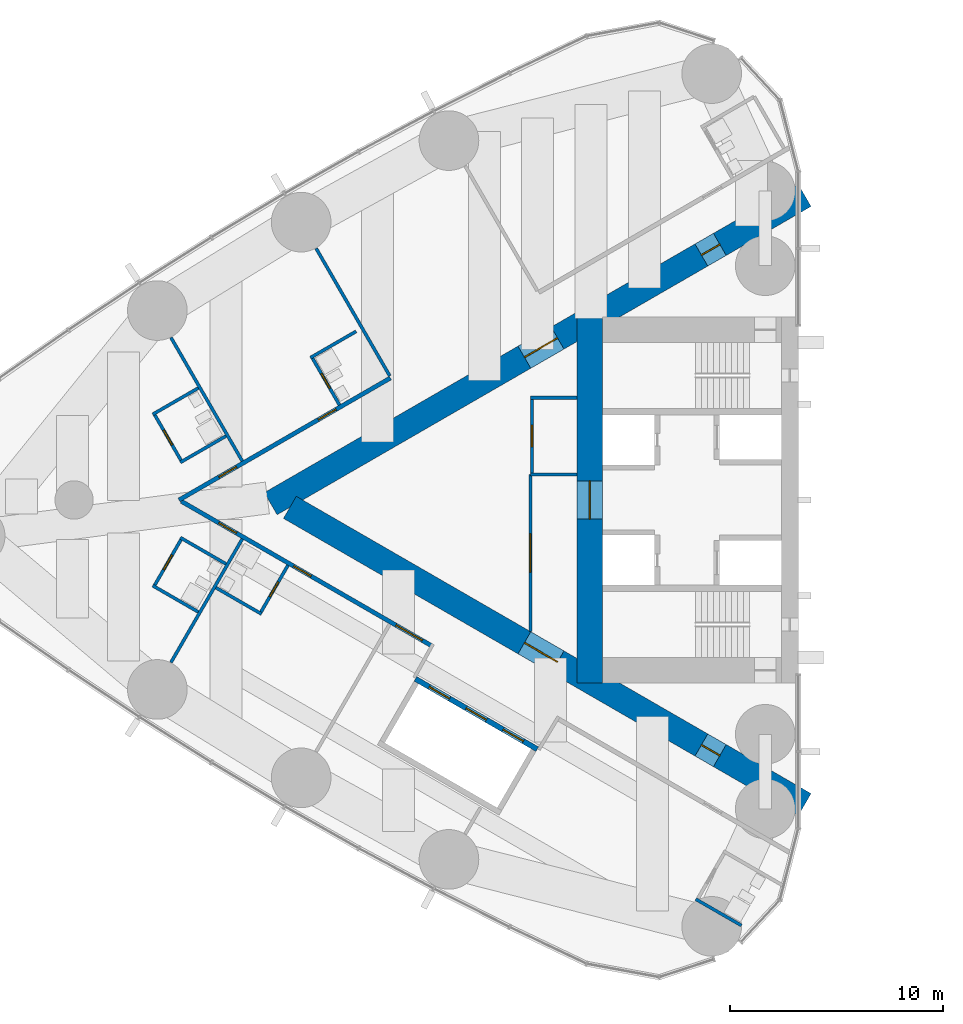
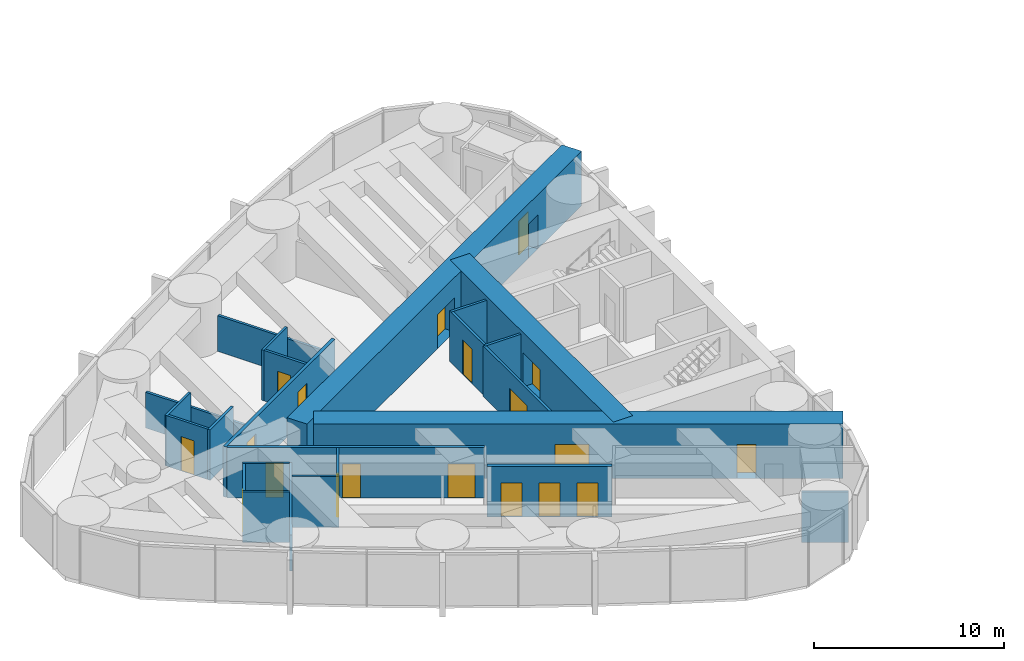
# One storey, part 12 of 19: 24 walls, 19 doors, 19 openings.
"""IFC4 building model written with IfcOpenShell, lengths in metres."""

from ifc_helpers import new_model, si_unit, direction, frame, frame_2d, origin, place, context, subcontext, project, spatial, rectangle, extrude, material, layer, layer_set, type_object, element, fill, save


model = new_model("IFC4")

# Units and contexts
model_context = context("Model", 3, precision=1e-05, world=origin(), true_north=direction((0.0, 1.0)))
body_context = subcontext(model_context, "Body", "Model", "MODEL_VIEW")
ifc_project = project(units=[si_unit("LENGTHUNIT", "METRE"), si_unit("AREAUNIT", "SQUARE_METRE"), si_unit("VOLUMEUNIT", "CUBIC_METRE"), si_unit("PLANEANGLEUNIT", "RADIAN"), si_unit("MASSUNIT", "GRAM", prefix="KILO")], contexts=[model_context])

# Site, building, storey
site_placement = place(None, origin())
site = spatial("IfcSite", under=ifc_project, at=site_placement, CompositionType="ELEMENT")
building_placement = place(site_placement, origin())
building = spatial("IfcBuilding", under=site, at=building_placement, Name="Lancet Gate Hotel", CompositionType="ELEMENT")
storey_placement = place(building_placement, frame((0.0, 0.0, 184.300048828125)))
storey = spatial("IfcBuildingStorey", under=building, at=storey_placement, Name="L49", CompositionType="ELEMENT", Elevation=184.300048828125)

# Wall
ifc_material_1 = material(Name="Moisture resistant board partition")
ifc_layer_1 = layer(ifc_material_1, 0.14990234375)
ifc_layer_set_1 = layer_set([ifc_layer_1], Name="Bathroom wall 150")
wall_type_1 = type_object("IfcWallType", Name="Bathroom wall 150", PredefinedType="PARTITIONING", material=ifc_layer_set_1)
wall_1_placement = place(storey_placement, frame((-48.26025390625, 7.914306640625, 0.0), z_axis=(0.0, 0.0, 1.0), x_axis=(-0.866031185235, -0.4999899861, 0.0)))
element("IfcWall", 1, at=wall_1_placement, inside=storey, type_object=wall_type_1, Name="T1 bathroom wall 150 L49", PredefinedType="PARTITIONING", context=body_context, shape_type="SweptSolid", body=[
    extrude(rectangle(XDim=2.47509765625, YDim=0.14990234375, at=frame_2d((1.237548828125, 0.0))), origin(), (0.0, 0.0, 1.0), 3.25),
])

# Wall, opening, door
wall_2_placement = place(storey_placement, frame((-49.038818359375, 4.462646484375, 0.0), z_axis=(0.0, 0.0, 1.0), x_axis=(-0.499936506574, 0.866062058628, 0.0)))
wall_2 = element("IfcWall", 2, at=wall_2_placement, inside=storey, type_object=wall_type_1, Name="T1 bathroom wall 150 L49", PredefinedType="PARTITIONING", context=body_context, shape_type="SweptSolid", body=[
    extrude(rectangle(XDim=2.599853515625, YDim=0.14990234375, at=frame_2d((1.2998046875, 0.0))), origin(), (0.0, 0.0, 1.0), 3.25),
])
opening_1_placement = place(wall_2_placement, frame((0.89990234375, 0.0, 0.0)))
opening_1 = element("IfcOpeningElement", 3, at=opening_1_placement, cuts=wall_2, Name="Opening 4903-B", PredefinedType="OPENING", context=body_context, shape_type="SweptSolid", body=[
    extrude(rectangle(XDim=0.800048828125, YDim=2.199951171875, at=frame_2d((0.39990234375, 1.10009765625))), frame((0.0, 0.0849609375, 0.0), z_axis=(0.0, -1.0, 0.0), x_axis=(1.0, 0.0, 0.0)), (0.0, 0.0, 1.0), 0.169921875),
])
ifc_material_2 = material(Name="Timber door set", Category="wood")
door_type_1 = type_object("IfcDoorType", Name="Bathroom door 800", OperationType="SINGLE_SWING_RIGHT", PredefinedType="DOOR", material=ifc_material_2)
door_1_placement = place(opening_1_placement, origin())
door_1 = element("IfcDoor", 4, at=door_1_placement, inside=storey, type_object=door_type_1, Name="4903-B", OperationType="SINGLE_SWING_RIGHT", OverallHeight=2.199951171875, OverallWidth=0.800048828125, PredefinedType="DOOR", context=body_context, shape_type="SweptSolid", body=[
    extrude(rectangle(XDim=0.800048828125, YDim=2.199951171875, at=frame_2d((0.39990234375, 1.10009765625))), frame((0.0, 0.02490234375, 0.0), z_axis=(0.0, -1.0, 0.0), x_axis=(1.0, 0.0, 0.0)), (0.0, 0.0, 1.0), 0.050048828125),
])
fill(opening_1, door_1)

# Wall
wall_3_placement = place(storey_placement, frame((-55.6669921875, 5.254638671875, 0.0), z_axis=(0.0, 0.0, 1.0), x_axis=(-0.866006523861, -0.500032699561, 0.0)))
element("IfcWall", 5, at=wall_3_placement, inside=storey, type_object=wall_type_1, Name="T1 bathroom wall 150 L49", PredefinedType="PARTITIONING", context=body_context, shape_type="SweptSolid", body=[
    extrude(rectangle(XDim=2.474853515625, YDim=0.14990234375, at=frame_2d((1.2373046875, 0.0))), origin(), (0.0, 0.0, 1.0), 3.25),
])

# Wall, opening, door
wall_4_placement = place(storey_placement, frame((-56.445556640625, 1.802978515625, 0.0), z_axis=(0.0, 0.0, 1.0), x_axis=(-0.499936506574, 0.866062058628, 0.0)))
wall_4 = element("IfcWall", 6, at=wall_4_placement, inside=storey, type_object=wall_type_1, Name="T1 bathroom wall 150 L49", PredefinedType="PARTITIONING", context=body_context, shape_type="SweptSolid", body=[
    extrude(rectangle(XDim=2.599853515625, YDim=0.14990234375, at=frame_2d((1.2998046875, 0.0))), origin(), (0.0, 0.0, 1.0), 3.25),
])
opening_2_placement = place(wall_4_placement, frame((0.89990234375, 0.0, 0.0)))
opening_2 = element("IfcOpeningElement", 7, at=opening_2_placement, cuts=wall_4, Name="Opening 4904-B", PredefinedType="OPENING", context=body_context, shape_type="SweptSolid", body=[
    extrude(rectangle(XDim=0.800048828125, YDim=2.199951171875, at=frame_2d((0.39990234375, 1.10009765625))), frame((0.0, 0.0849609375, 0.0), z_axis=(0.0, -1.0, 0.0), x_axis=(1.0, 0.0, 0.0)), (0.0, 0.0, 1.0), 0.169921875),
])
door_2_placement = place(opening_2_placement, origin())
door_2 = element("IfcDoor", 8, at=door_2_placement, inside=storey, type_object=door_type_1, Name="4904-B", OperationType="SINGLE_SWING_RIGHT", OverallHeight=2.199951171875, OverallWidth=0.800048828125, PredefinedType="DOOR", context=body_context, shape_type="SweptSolid", body=[
    extrude(rectangle(XDim=0.800048828125, YDim=2.199951171875, at=frame_2d((0.39990234375, 1.10009765625))), frame((0.0, 0.02490234375, 0.0), z_axis=(0.0, -1.0, 0.0), x_axis=(1.0, 0.0, 0.0)), (0.0, 0.0, 1.0), 0.050048828125),
])
fill(opening_2, door_2)

# Walls
wall_5_placement = place(storey_placement, frame((-54.366943359375, 3.0029296875, 0.0), z_axis=(0.0, 0.0, 1.0), x_axis=(-0.866031185235, -0.4999899861, 0.0)))
element("IfcWall", 9, at=wall_5_placement, inside=storey, type_object=wall_type_1, Name="T1 bathroom wall 150 L49", PredefinedType="PARTITIONING", context=body_context, shape_type="SweptSolid", body=[
    extrude(rectangle(XDim=2.47509765625, YDim=0.14990234375, at=frame_2d((1.237548828125, 0.0))), origin(), (0.0, 0.0, 1.0), 3.25),
])
wall_6_placement = place(storey_placement, frame((-55.6669921875, -5.254638671875, 0.0), z_axis=(0.0, 0.0, 1.0), x_axis=(-0.866006523861, 0.500032699561, 0.0)))
element("IfcWall", 10, at=wall_6_placement, inside=storey, type_object=wall_type_1, Name="T1 bathroom wall 150 L49", PredefinedType="PARTITIONING", context=body_context, shape_type="SweptSolid", body=[
    extrude(rectangle(XDim=2.474853515625, YDim=0.14990234375, at=frame_2d((1.2373046875, 0.0))), origin(), (0.0, 0.0, 1.0), 3.25),
])

# Wall, opening, door
wall_7_placement = place(storey_placement, frame((-56.445556640625, -1.802978515625, 0.0), z_axis=(0.0, 0.0, 1.0), x_axis=(-0.499936506574, -0.866062058628, 0.0)))
wall_7 = element("IfcWall", 11, at=wall_7_placement, inside=storey, type_object=wall_type_1, Name="T1 bathroom wall 150 L49", PredefinedType="PARTITIONING", context=body_context, shape_type="SweptSolid", body=[
    extrude(rectangle(XDim=2.599853515625, YDim=0.14990234375, at=frame_2d((1.2998046875, 0.0))), origin(), (0.0, 0.0, 1.0), 3.25),
])
opening_3_placement = place(wall_7_placement, frame((0.89990234375, 0.0, 0.0)))
opening_3 = element("IfcOpeningElement", 12, at=opening_3_placement, cuts=wall_7, Name="Opening 4905-B", PredefinedType="OPENING", context=body_context, shape_type="SweptSolid", body=[
    extrude(rectangle(XDim=0.800048828125, YDim=2.199951171875, at=frame_2d((0.39990234375, 1.10009765625))), frame((0.0, 0.0849609375, 0.0), z_axis=(0.0, -1.0, 0.0), x_axis=(1.0, 0.0, 0.0)), (0.0, 0.0, 1.0), 0.169921875),
])
door_3_placement = place(opening_3_placement, origin())
door_3 = element("IfcDoor", 13, at=door_3_placement, inside=storey, type_object=door_type_1, Name="4905-B", OperationType="SINGLE_SWING_RIGHT", OverallHeight=2.199951171875, OverallWidth=0.800048828125, PredefinedType="DOOR", context=body_context, shape_type="SweptSolid", body=[
    extrude(rectangle(XDim=0.800048828125, YDim=2.199951171875, at=frame_2d((0.39990234375, 1.10009765625))), frame((0.0, 0.02490234375, 0.0), z_axis=(0.0, -1.0, 0.0), x_axis=(1.0, 0.0, 0.0)), (0.0, 0.0, 1.0), 0.050048828125),
])
fill(opening_3, door_3)

# Walls
for number, where, z_axis, x_axis, name in (
    (14, (-54.366943359375, -3.0029296875, 0.0), (0.0, 0.0, 1.0), (-0.866031185235, 0.4999899861, 0.0), "T1 bathroom wall 150 L49"),
    (15, (-52.693603515625, -5.354736328125, 0.0), (0.0, 0.0, 1.0), (-0.866031185235, 0.4999899861, 0.0), "T1 bathroom wall 150 L49"),
):
    element("IfcWall", number, at=place(storey_placement, frame(where, z_axis=z_axis, x_axis=x_axis)), inside=storey, type_object=wall_type_1, Name=name, PredefinedType="PARTITIONING", context=body_context, shape_type="SweptSolid", body=[
        extrude(rectangle(XDim=2.47509765625, YDim=0.14990234375, at=frame_2d((1.237548828125, 0.0))), origin(), (0.0, 0.0, 1.0), 3.25),
    ])

# Wall, opening, door
wall_8_placement = place(storey_placement, frame((-51.458740234375, -3.0654296875, 0.0), z_axis=(0.0, 0.0, 1.0), x_axis=(-0.499936506574, -0.866062058628, 0.0)))
wall_8 = element("IfcWall", 16, at=wall_8_placement, inside=storey, type_object=wall_type_1, Name="T1 bathroom wall 150 L49", PredefinedType="PARTITIONING", context=body_context, shape_type="SweptSolid", body=[
    extrude(rectangle(XDim=2.599853515625, YDim=0.14990234375, at=frame_2d((1.2998046875, 0.0))), origin(), (0.0, 0.0, 1.0), 3.25),
])
opening_4_placement = place(wall_8_placement, frame((0.89990234375, 0.0, 0.0)))
opening_4 = element("IfcOpeningElement", 17, at=opening_4_placement, cuts=wall_8, Name="Opening 4906-B", PredefinedType="OPENING", context=body_context, shape_type="SweptSolid", body=[
    extrude(rectangle(XDim=0.800048828125, YDim=2.199951171875, at=frame_2d((0.39990234375, 1.10009765625))), frame((0.0, 0.0849609375, 0.0), z_axis=(0.0, -1.0, 0.0), x_axis=(1.0, 0.0, 0.0)), (0.0, 0.0, 1.0), 0.169921875),
])
door_4_placement = place(opening_4_placement, origin())
door_4 = element("IfcDoor", 18, at=door_4_placement, inside=storey, type_object=door_type_1, Name="4906-B", OperationType="SINGLE_SWING_RIGHT", OverallHeight=2.199951171875, OverallWidth=0.800048828125, PredefinedType="DOOR", context=body_context, shape_type="SweptSolid", body=[
    extrude(rectangle(XDim=0.800048828125, YDim=2.199951171875, at=frame_2d((0.39990234375, 1.10009765625))), frame((0.0, 0.02490234375, 0.0), z_axis=(0.0, -1.0, 0.0), x_axis=(1.0, 0.0, 0.0)), (0.0, 0.0, 1.0), 0.050048828125),
])
fill(opening_4, door_4)

# Wall
wall_9_placement = place(storey_placement, frame((-30.169921875, -19.975341796875, 0.0), z_axis=(0.0, 0.0, 1.0), x_axis=(-0.866006523861, 0.500032699561, 0.0)))
element("IfcWall", 19, at=wall_9_placement, inside=storey, type_object=wall_type_1, Name="T1 bathroom wall 150 L49", PredefinedType="PARTITIONING", context=body_context, shape_type="SweptSolid", body=[
    extrude(rectangle(XDim=2.474853515625, YDim=0.14990234375, at=frame_2d((1.2373046875, 0.0))), origin(), (0.0, 0.0, 1.0), 3.25),
])

# Wall, openings, doors
ifc_material_3 = material(Name="Concrete C70/85", Category="concrete")
ifc_layer_2 = layer(ifc_material_3, 1.199951171875)
ifc_layer_set_2 = layer_set([ifc_layer_2], Name="Buttress wall 1200")
wall_type_2 = type_object("IfcWallType", Name="Buttress wall 1200", PredefinedType="SHEAR", material=ifc_layer_set_2)
wall_10_placement = place(storey_placement, frame((-27.199951171875, 14.300048828125, 0.0), z_axis=(0.0, 0.0, 1.0), x_axis=(-0.866026593062, -0.499997940104, 0.0)))
wall_10 = element("IfcWall", 20, at=wall_10_placement, inside=storey, type_object=wall_type_2, Name="T1 buttress wall S L49", PredefinedType="SHEAR", context=body_context, shape_type="SweptSolid", body=[
    extrude(rectangle(XDim=28.9462890625, YDim=1.199951171875, at=frame_2d((14.47314453125, 0.0))), origin(), (0.0, 0.0, 1.0), 3.5),
])
opening_5_placement = place(wall_10_placement, frame((4.60009765625, 0.0, 0.0)))
opening_5 = element("IfcOpeningElement", 21, at=opening_5_placement, cuts=wall_10, Name="Opening T1-L49-LS", PredefinedType="OPENING", context=body_context, shape_type="SweptSolid", body=[
    extrude(rectangle(XDim=1.0, YDim=2.199951171875, at=frame_2d((0.5, 1.10009765625))), frame((0.0, 0.60986328125, 0.0), z_axis=(0.0, -1.0, 0.0), x_axis=(1.0, 0.0, 0.0)), (0.0, 0.0, 1.0), 1.219970703125),
])
opening_6_placement = place(wall_10_placement, frame((13.39453125, 0.0, 0.0)))
opening_6 = element("IfcOpeningElement", 22, at=opening_6_placement, cuts=wall_10, Name="Opening T1-L49-LHS", PredefinedType="OPENING", context=body_context, shape_type="SweptSolid", body=[
    extrude(rectangle(XDim=1.800048828125, YDim=2.199951171875, at=frame_2d((0.89990234375, 1.10009765625))), frame((0.0, 0.60986328125, 0.0), z_axis=(0.0, -1.0, 0.0), x_axis=(1.0, 0.0, 0.0)), (0.0, 0.0, 1.0), 1.219970703125),
])
ifc_material_4 = material(Name="Timber door set", Category="wood")
door_type_2 = type_object("IfcDoorType", Name="Lobby double door 1800", OperationType="DOUBLE_DOOR_SINGLE_SWING", PredefinedType="DOOR", material=ifc_material_4)
door_5_placement = place(opening_6_placement, origin())
door_5 = element("IfcDoor", 23, at=door_5_placement, inside=storey, type_object=door_type_2, Name="T1-L49-LHS", OperationType="DOUBLE_DOOR_SINGLE_SWING", OverallHeight=2.199951171875, OverallWidth=1.800048828125, PredefinedType="DOOR", context=body_context, shape_type="SweptSolid", body=[
    extrude(rectangle(XDim=1.800048828125, YDim=2.199951171875, at=frame_2d((0.89990234375, 1.10009765625))), frame((0.0, 0.02490234375, 0.0), z_axis=(0.0, -1.0, 0.0), x_axis=(1.0, 0.0, 0.0)), (0.0, 0.0, 1.0), 0.050048828125),
])
fill(opening_6, door_5)
ifc_material_5 = material(Name="Timber door set", Category="wood")
door_type_3 = type_object("IfcDoorType", Name="Stair lobby door 1000", OperationType="SINGLE_SWING_LEFT", PredefinedType="DOOR", material=ifc_material_5)
door_6_placement = place(opening_5_placement, origin())
door_6 = element("IfcDoor", 24, at=door_6_placement, inside=storey, type_object=door_type_3, Name="T1-L49-LS", OperationType="SINGLE_SWING_LEFT", OverallHeight=2.199951171875, OverallWidth=1.0, PredefinedType="DOOR", context=body_context, shape_type="SweptSolid", body=[
    extrude(rectangle(XDim=1.0, YDim=2.199951171875, at=frame_2d((0.5, 1.10009765625))), frame((0.0, 0.02490234375, 0.0), z_axis=(0.0, -1.0, 0.0), x_axis=(1.0, 0.0, 0.0)), (0.0, 0.0, 1.0), 0.050048828125),
])
fill(opening_5, door_6)

wall_11_placement = place(storey_placement, frame((-27.199951171875, -14.300048828125, 0.0), z_axis=(0.0, 0.0, 1.0), x_axis=(-0.866024021859, 0.500002393557, 0.0)))
wall_11 = element("IfcWall", 25, at=wall_11_placement, inside=storey, type_object=wall_type_2, Name="T1 buttress wall N L49", PredefinedType="SHEAR", context=body_context, shape_type="SweptSolid", body=[
    extrude(rectangle(XDim=27.906982421875, YDim=1.199951171875, at=frame_2d((13.95361328125, 0.0))), origin(), (0.0, 0.0, 1.0), 3.5),
])
opening_7_placement = place(wall_11_placement, frame((4.60009765625, 0.0, 0.0)))
opening_7 = element("IfcOpeningElement", 26, at=opening_7_placement, cuts=wall_11, Name="Opening T1-L49-LN", PredefinedType="OPENING", context=body_context, shape_type="SweptSolid", body=[
    extrude(rectangle(XDim=1.0, YDim=2.199951171875, at=frame_2d((0.5, 1.10009765625))), frame((0.0, 0.60986328125, 0.0), z_axis=(0.0, -1.0, 0.0), x_axis=(1.0, 0.0, 0.0)), (0.0, 0.0, 1.0), 1.219970703125),
])
opening_8_placement = place(wall_11_placement, frame((13.39453125, 0.0, 0.0)))
opening_8 = element("IfcOpeningElement", 27, at=opening_8_placement, cuts=wall_11, Name="Opening T1-L49-LHN", PredefinedType="OPENING", context=body_context, shape_type="SweptSolid", body=[
    extrude(rectangle(XDim=1.800048828125, YDim=2.199951171875, at=frame_2d((0.89990234375, 1.10009765625))), frame((0.0, 0.60986328125, 0.0), z_axis=(0.0, -1.0, 0.0), x_axis=(1.0, 0.0, 0.0)), (0.0, 0.0, 1.0), 1.219970703125),
])
door_7_placement = place(opening_8_placement, origin())
door_7 = element("IfcDoor", 28, at=door_7_placement, inside=storey, type_object=door_type_2, Name="T1-L49-LHN", OperationType="DOUBLE_DOOR_SINGLE_SWING", OverallHeight=2.199951171875, OverallWidth=1.800048828125, PredefinedType="DOOR", context=body_context, shape_type="SweptSolid", body=[
    extrude(rectangle(XDim=1.800048828125, YDim=2.199951171875, at=frame_2d((0.89990234375, 1.10009765625))), frame((0.0, 0.02490234375, 0.0), z_axis=(0.0, -1.0, 0.0), x_axis=(1.0, 0.0, 0.0)), (0.0, 0.0, 1.0), 0.050048828125),
])
fill(opening_8, door_7)
door_8_placement = place(opening_7_placement, origin())
door_8 = element("IfcDoor", 29, at=door_8_placement, inside=storey, type_object=door_type_3, Name="T1-L49-LN", OperationType="SINGLE_SWING_LEFT", OverallHeight=2.199951171875, OverallWidth=1.0, PredefinedType="DOOR", context=body_context, shape_type="SweptSolid", body=[
    extrude(rectangle(XDim=1.0, YDim=2.199951171875, at=frame_2d((0.5, 1.10009765625))), frame((0.0, 0.02490234375, 0.0), z_axis=(0.0, -1.0, 0.0), x_axis=(1.0, 0.0, 0.0)), (0.0, 0.0, 1.0), 0.050048828125),
])
fill(opening_7, door_8)

# Wall, opening, door
ifc_material_6 = material(Name="Concrete C70/85", Category="concrete")
ifc_layer_3 = layer(ifc_material_6, 1.199951171875)
ifc_layer_set_3 = layer_set([ifc_layer_3], Name="Core wall 1200")
wall_type_3 = type_object("IfcWallType", Name="Core wall 1200", PredefinedType="SHEAR", material=ifc_layer_set_3)
wall_12_placement = place(storey_placement, frame((-37.300048828125, 8.60009765625, 0.0), z_axis=(0.0, 0.0, 1.0), x_axis=(0.0, -1.0, 0.0)))
wall_12 = element("IfcWall", 30, at=wall_12_placement, inside=storey, type_object=wall_type_3, Name="T1 core wall back L49", PredefinedType="SHEAR", context=body_context, shape_type="SweptSolid", body=[
    extrude(rectangle(XDim=17.2001953125, YDim=1.199951171875, at=frame_2d((8.60009765625, 0.0))), origin(), (0.0, 0.0, 1.0), 3.5),
])
opening_9_placement = place(wall_12_placement, frame((7.699951171875, 0.0, 0.0)))
opening_9 = element("IfcOpeningElement", 31, at=opening_9_placement, cuts=wall_12, Name="Opening T1-L49-LL", PredefinedType="OPENING", context=body_context, shape_type="SweptSolid", body=[
    extrude(rectangle(XDim=1.800048828125, YDim=2.199951171875, at=frame_2d((0.89990234375, 1.10009765625))), frame((0.0, 0.60986328125, 0.0), z_axis=(0.0, -1.0, 0.0), x_axis=(1.0, 0.0, 0.0)), (0.0, 0.0, 1.0), 1.219970703125),
])
door_9_placement = place(opening_9_placement, origin())
door_9 = element("IfcDoor", 32, at=door_9_placement, inside=storey, type_object=door_type_2, Name="T1-L49-LL", OperationType="DOUBLE_DOOR_SINGLE_SWING", OverallHeight=2.199951171875, OverallWidth=1.800048828125, PredefinedType="DOOR", context=body_context, shape_type="SweptSolid", body=[
    extrude(rectangle(XDim=1.800048828125, YDim=2.199951171875, at=frame_2d((0.89990234375, 1.10009765625))), frame((0.0, 0.02490234375, 0.0), z_axis=(0.0, -1.0, 0.0), x_axis=(1.0, 0.0, 0.0)), (0.0, 0.0, 1.0), 0.050048828125),
])
fill(opening_9, door_9)

# Wall, openings, doors
ifc_material_7 = material(Name="Gypsum board partition")
ifc_layer_4 = layer(ifc_material_7, 0.199951171875)
ifc_layer_set_4 = layer_set([ifc_layer_4], Name="Corridor wall 200")
wall_type_4 = type_object("IfcWallType", Name="Corridor wall 200", PredefinedType="PARTITIONING", material=ifc_layer_set_4)
wall_13_placement = place(storey_placement, frame((-44.715087890625, -6.843505859375, 0.0), z_axis=(0.0, 0.0, 1.0), x_axis=(-0.866025261224, 0.500000246922, 0.0)))
wall_13 = element("IfcWall", 33, at=wall_13_placement, inside=storey, type_object=wall_type_4, Name="T1 corridor wall 200 L49", PredefinedType="PARTITIONING", context=body_context, shape_type="SweptSolid", body=[
    extrude(rectangle(XDim=13.56689453125, YDim=0.199951171875, at=frame_2d((6.783447265625, 0.0))), origin(), (0.0, 0.0, 1.0), 3.25),
])
opening_10_placement = place(wall_13_placement, frame((10.5791015625, 0.0, 0.0)))
opening_10 = element("IfcOpeningElement", 34, at=opening_10_placement, cuts=wall_13, Name="Opening 4905-E", PredefinedType="OPENING", context=body_context, shape_type="SweptSolid", body=[
    extrude(rectangle(XDim=0.949951171875, YDim=2.199951171875, at=frame_2d((0.47509765625, 1.10009765625))), frame((0.0, 0.10986328125, 0.0), z_axis=(0.0, -1.0, 0.0), x_axis=(1.0, 0.0, 0.0)), (0.0, 0.0, 1.0), 0.219970703125),
])
opening_11_placement = place(wall_13_placement, frame((6.529052734375, 0.0, 0.0)))
opening_11 = element("IfcOpeningElement", 35, at=opening_11_placement, cuts=wall_13, Name="Opening 4906-E", PredefinedType="OPENING", context=body_context, shape_type="SweptSolid", body=[
    extrude(rectangle(XDim=0.949951171875, YDim=2.199951171875, at=frame_2d((0.47509765625, 1.10009765625))), frame((0.0, 0.10986328125, 0.0), z_axis=(0.0, -1.0, 0.0), x_axis=(1.0, 0.0, 0.0)), (0.0, 0.0, 1.0), 0.219970703125),
])
opening_12_placement = place(wall_13_placement, frame((0.5, 0.0, 0.0)))
opening_12 = element("IfcOpeningElement", 36, at=opening_12_placement, cuts=wall_13, Name="Opening T1-L49-LO1", PredefinedType="OPENING", context=body_context, shape_type="SweptSolid", body=[
    extrude(rectangle(XDim=1.43505859375, YDim=2.199951171875, at=frame_2d((0.717529296875, 1.10009765625))), frame((0.0, 0.10986328125, 0.0), z_axis=(0.0, -1.0, 0.0), x_axis=(1.0, 0.0, 0.0)), (0.0, 0.0, 1.0), 0.219970703125),
])
ifc_material_8 = material(Name="Timber door set", Category="wood")
door_type_4 = type_object("IfcDoorType", Name="Guest room entry door 950", OperationType="SINGLE_SWING_LEFT", PredefinedType="DOOR", material=ifc_material_8)
door_10_placement = place(opening_10_placement, origin())
door_10 = element("IfcDoor", 37, at=door_10_placement, inside=storey, type_object=door_type_4, Name="4905-E", OperationType="SINGLE_SWING_LEFT", OverallHeight=2.199951171875, OverallWidth=0.949951171875, PredefinedType="DOOR", context=body_context, shape_type="SweptSolid", body=[
    extrude(rectangle(XDim=0.949951171875, YDim=2.199951171875, at=frame_2d((0.47509765625, 1.10009765625))), frame((0.0, 0.02490234375, 0.0), z_axis=(0.0, -1.0, 0.0), x_axis=(1.0, 0.0, 0.0)), (0.0, 0.0, 1.0), 0.050048828125),
])
fill(opening_10, door_10)
door_11_placement = place(opening_11_placement, origin())
door_11 = element("IfcDoor", 38, at=door_11_placement, inside=storey, type_object=door_type_4, Name="4906-E", OperationType="SINGLE_SWING_LEFT", OverallHeight=2.199951171875, OverallWidth=0.949951171875, PredefinedType="DOOR", context=body_context, shape_type="SweptSolid", body=[
    extrude(rectangle(XDim=0.949951171875, YDim=2.199951171875, at=frame_2d((0.47509765625, 1.10009765625))), frame((0.0, 0.02490234375, 0.0), z_axis=(0.0, -1.0, 0.0), x_axis=(1.0, 0.0, 0.0)), (0.0, 0.0, 1.0), 0.050048828125),
])
fill(opening_11, door_11)
door_12_placement = place(opening_12_placement, origin())
door_12 = element("IfcDoor", 39, at=door_12_placement, inside=storey, type_object=door_type_4, Name="T1-L49-LO1", OperationType="SINGLE_SWING_LEFT", OverallHeight=2.199951171875, OverallWidth=1.43505859375, PredefinedType="DOOR", context=body_context, shape_type="SweptSolid", body=[
    extrude(rectangle(XDim=1.43505859375, YDim=2.199951171875, at=frame_2d((0.717529296875, 1.10009765625))), frame((0.0, 0.02490234375, 0.0), z_axis=(0.0, -1.0, 0.0), x_axis=(1.0, 0.0, 0.0)), (0.0, 0.0, 1.0), 0.050048828125),
])
fill(opening_12, door_12)

wall_14_placement = place(storey_placement, frame((-46.650390625, 5.72607421875, 0.0), z_axis=(0.0, 0.0, 1.0), x_axis=(-0.866027963864, -0.499995565786, 0.0)))
wall_14 = element("IfcWall", 40, at=wall_14_placement, inside=storey, type_object=wall_type_4, Name="T1 corridor wall 200 L49", PredefinedType="PARTITIONING", context=body_context, shape_type="SweptSolid", body=[
    extrude(rectangle(XDim=11.4521484375, YDim=0.199951171875, at=frame_2d((5.72607421875, 0.0))), origin(), (0.0, 0.0, 1.0), 3.25),
])
opening_13_placement = place(wall_14_placement, frame((2.949951171875, 0.0, 0.0)))
opening_13 = element("IfcOpeningElement", 41, at=opening_13_placement, cuts=wall_14, Name="Opening 4903-E", PredefinedType="OPENING", context=body_context, shape_type="SweptSolid", body=[
    extrude(rectangle(XDim=0.949951171875, YDim=2.199951171875, at=frame_2d((0.47509765625, 1.10009765625))), frame((0.0, 0.10986328125, 0.0), z_axis=(0.0, -1.0, 0.0), x_axis=(1.0, 0.0, 0.0)), (0.0, 0.0, 1.0), 0.219970703125),
])
opening_14_placement = place(wall_14_placement, frame((8.34423828125, 0.0, 0.0)))
opening_14 = element("IfcOpeningElement", 42, at=opening_14_placement, cuts=wall_14, Name="Opening 4904-E", PredefinedType="OPENING", context=body_context, shape_type="SweptSolid", body=[
    extrude(rectangle(XDim=0.949951171875, YDim=2.199951171875, at=frame_2d((0.47509765625, 1.10009765625))), frame((0.0, 0.10986328125, 0.0), z_axis=(0.0, -1.0, 0.0), x_axis=(1.0, 0.0, 0.0)), (0.0, 0.0, 1.0), 0.219970703125),
])
door_13_placement = place(opening_13_placement, origin())
door_13 = element("IfcDoor", 43, at=door_13_placement, inside=storey, type_object=door_type_4, Name="4903-E", OperationType="SINGLE_SWING_LEFT", OverallHeight=2.199951171875, OverallWidth=0.949951171875, PredefinedType="DOOR", context=body_context, shape_type="SweptSolid", body=[
    extrude(rectangle(XDim=0.949951171875, YDim=2.199951171875, at=frame_2d((0.47509765625, 1.10009765625))), frame((0.0, 0.02490234375, 0.0), z_axis=(0.0, -1.0, 0.0), x_axis=(1.0, 0.0, 0.0)), (0.0, 0.0, 1.0), 0.050048828125),
])
fill(opening_13, door_13)
door_14_placement = place(opening_14_placement, origin())
door_14 = element("IfcDoor", 44, at=door_14_placement, inside=storey, type_object=door_type_4, Name="4904-E", OperationType="SINGLE_SWING_LEFT", OverallHeight=2.199951171875, OverallWidth=0.949951171875, PredefinedType="DOOR", context=body_context, shape_type="SweptSolid", body=[
    extrude(rectangle(XDim=0.949951171875, YDim=2.199951171875, at=frame_2d((0.47509765625, 1.10009765625))), frame((0.0, 0.02490234375, 0.0), z_axis=(0.0, -1.0, 0.0), x_axis=(1.0, 0.0, 0.0)), (0.0, 0.0, 1.0), 0.050048828125),
])
fill(opening_14, door_14)

ifc_material_9 = material(Name="Gypsum board partition")
ifc_layer_5 = layer(ifc_material_9, 0.25)
ifc_layer_set_5 = layer_set([ifc_layer_5], Name="Lift shaft partition 250")
wall_type_5 = type_object("IfcWallType", Name="Lift shaft partition 250", PredefinedType="PARTITIONING", material=ifc_layer_set_5)
wall_15_placement = place(storey_placement, frame((-39.757568359375, -11.697265625, 0.0), z_axis=(0.0, 0.0, 1.0), x_axis=(-0.866024194504, 0.500002094529, 0.0)))
wall_15 = element("IfcWall", 45, at=wall_15_placement, inside=storey, type_object=wall_type_5, Name="T1 lift shaft wall HL L49", PredefinedType="PARTITIONING", context=body_context, shape_type="SweptSolid", body=[
    extrude(rectangle(XDim=6.60009765625, YDim=0.25, at=frame_2d((3.300048828125, 0.0))), origin(), (0.0, 0.0, 1.0), 3.25),
])
opening_15_placement = place(wall_15_placement, frame((0.75, 0.0, 0.0)))
opening_15 = element("IfcOpeningElement", 46, at=opening_15_placement, cuts=wall_15, Name="Opening T1-HL1-L49", PredefinedType="OPENING", context=body_context, shape_type="SweptSolid", body=[
    extrude(rectangle(XDim=1.10009765625, YDim=2.199951171875, at=frame_2d((0.550048828125, 1.10009765625))), frame((0.0, 0.135009765625, 0.0), z_axis=(0.0, -1.0, 0.0), x_axis=(1.0, 0.0, 0.0)), (0.0, 0.0, 1.0), 0.27001953125),
])
opening_16_placement = place(wall_15_placement, frame((2.75, 0.0, 0.0)))
opening_16 = element("IfcOpeningElement", 47, at=opening_16_placement, cuts=wall_15, Name="Opening T1-HL2-L49", PredefinedType="OPENING", context=body_context, shape_type="SweptSolid", body=[
    extrude(rectangle(XDim=1.10009765625, YDim=2.199951171875, at=frame_2d((0.550048828125, 1.10009765625))), frame((0.0, 0.135009765625, 0.0), z_axis=(0.0, -1.0, 0.0), x_axis=(1.0, 0.0, 0.0)), (0.0, 0.0, 1.0), 0.27001953125),
])
opening_17_placement = place(wall_15_placement, frame((4.75, 0.0, 0.0)))
opening_17 = element("IfcOpeningElement", 48, at=opening_17_placement, cuts=wall_15, Name="Opening T1-HL3-L49", PredefinedType="OPENING", context=body_context, shape_type="SweptSolid", body=[
    extrude(rectangle(XDim=1.10009765625, YDim=2.199951171875, at=frame_2d((0.550048828125, 1.10009765625))), frame((0.0, 0.135009765625, 0.0), z_axis=(0.0, -1.0, 0.0), x_axis=(1.0, 0.0, 0.0)), (0.0, 0.0, 1.0), 0.27001953125),
])
ifc_material_10 = material(Name="Steel door set", Category="steel")
door_type_5 = type_object("IfcDoorType", Name="Lift landing door 1100", OperationType="DOUBLE_DOOR_SLIDING", PredefinedType="USERDEFINED", material=ifc_material_10)
door_15_placement = place(opening_15_placement, origin())
door_15 = element("IfcDoor", 49, at=door_15_placement, inside=storey, type_object=door_type_5, Name="T1-HL1-L49", ObjectType="LIFT LANDING DOOR", OperationType="DOUBLE_DOOR_SLIDING", OverallHeight=2.199951171875, OverallWidth=1.10009765625, PredefinedType="USERDEFINED", context=body_context, shape_type="SweptSolid", body=[
    extrude(rectangle(XDim=1.10009765625, YDim=2.199951171875, at=frame_2d((0.550048828125, 1.10009765625))), frame((0.0, 0.02490234375, 0.0), z_axis=(0.0, -1.0, 0.0), x_axis=(1.0, 0.0, 0.0)), (0.0, 0.0, 1.0), 0.050048828125),
])
fill(opening_15, door_15)
door_16_placement = place(opening_16_placement, origin())
door_16 = element("IfcDoor", 50, at=door_16_placement, inside=storey, type_object=door_type_5, Name="T1-HL2-L49", ObjectType="LIFT LANDING DOOR", OperationType="DOUBLE_DOOR_SLIDING", OverallHeight=2.199951171875, OverallWidth=1.10009765625, PredefinedType="USERDEFINED", context=body_context, shape_type="SweptSolid", body=[
    extrude(rectangle(XDim=1.10009765625, YDim=2.199951171875, at=frame_2d((0.550048828125, 1.10009765625))), frame((0.0, 0.02490234375, 0.0), z_axis=(0.0, -1.0, 0.0), x_axis=(1.0, 0.0, 0.0)), (0.0, 0.0, 1.0), 0.050048828125),
])
fill(opening_16, door_16)
door_17_placement = place(opening_17_placement, origin())
door_17 = element("IfcDoor", 51, at=door_17_placement, inside=storey, type_object=door_type_5, Name="T1-HL3-L49", ObjectType="LIFT LANDING DOOR", OperationType="DOUBLE_DOOR_SLIDING", OverallHeight=2.199951171875, OverallWidth=1.10009765625, PredefinedType="USERDEFINED", context=body_context, shape_type="SweptSolid", body=[
    extrude(rectangle(XDim=1.10009765625, YDim=2.199951171875, at=frame_2d((0.550048828125, 1.10009765625))), frame((0.0, 0.02490234375, 0.0), z_axis=(0.0, -1.0, 0.0), x_axis=(1.0, 0.0, 0.0)), (0.0, 0.0, 1.0), 0.050048828125),
])
fill(opening_17, door_17)

# Walls
ifc_material_11 = material(Name="Gypsum board partition")
ifc_layer_6 = layer(ifc_material_11, 0.14990234375)
ifc_layer_set_6 = layer_set([ifc_layer_6], Name="Party wall 150")
wall_type_6 = type_object("IfcWallType", Name="Party wall 150", PredefinedType="PARTITIONING", material=ifc_layer_set_6)
wall_16_placement = place(storey_placement, frame((-46.6787109375, 5.8251953125, 0.0), z_axis=(0.0, 0.0, 1.0), x_axis=(-0.500006839597, 0.866021454905, 0.0)))
element("IfcWall", 52, at=wall_16_placement, inside=storey, type_object=wall_type_6, Name="T1 party wall 150 L49", PredefinedType="PARTITIONING", context=body_context, shape_type="SweptSolid", body=[
    extrude(rectangle(XDim=6.9111328125, YDim=0.14990234375, at=frame_2d((3.45556640625, 0.0))), origin(), (0.0, 0.0, 1.0), 2.300048828125),
])
for number, where, z_axis, x_axis, name in (
    (53, (-53.60205078125, 1.828125, 0.0), (0.0, 0.0, 1.0), (-0.49999191814, 0.866030069798, 0.0), "T1 party wall 150 L49"),
    (54, (-53.60205078125, -1.828125, 0.0), (0.0, 0.0, 1.0), (-0.49999191814, -0.866030069798, 0.0), "T1 party wall 150 L49"),
):
    element("IfcWall", number, at=place(storey_placement, frame(where, z_axis=z_axis, x_axis=x_axis)), inside=storey, type_object=wall_type_6, Name=name, PredefinedType="PARTITIONING", context=body_context, shape_type="SweptSolid", body=[
        extrude(rectangle(XDim=6.6923828125, YDim=0.14990234375, at=frame_2d((3.34619140625, 0.0))), origin(), (0.0, 0.0, 1.0), 2.300048828125),
    ])
ifc_material_12 = material(Name="Gypsum board partition")
ifc_layer_7 = layer(ifc_material_12, 0.14990234375)
ifc_layer_set_7 = layer_set([ifc_layer_7], Name="Service room wall 150")
wall_type_7 = type_object("IfcWallType", Name="Service room wall 150", PredefinedType="PARTITIONING", material=ifc_layer_set_7)
for number, where, z_axis, x_axis, name in (
    (55, (-37.89990234375, 1.199951171875, 0.0), (0.0, 0.0, 1.0), (-1.0, 0.0, 0.0), "T1 service room wall 150 L49"),
    (56, (-37.89990234375, 4.800048828125, 0.0), (0.0, 0.0, 1.0), (-1.0, 0.0, 0.0), "T1 service room wall 150 L49"),
):
    element("IfcWall", number, at=place(storey_placement, frame(where, z_axis=z_axis, x_axis=x_axis)), inside=storey, type_object=wall_type_7, Name=name, PredefinedType="PARTITIONING", context=body_context, shape_type="SweptSolid", body=[
        extrude(rectangle(XDim=2.175048828125, YDim=0.14990234375, at=frame_2d((1.08740234375, 0.0))), origin(), (0.0, 0.0, 1.0), 3.25),
    ])

# Wall, opening, door
wall_17_placement = place(storey_placement, frame((-40.0, 4.875, 0.0), z_axis=(0.0, 0.0, 1.0), x_axis=(0.0, -1.0, 0.0)))
wall_17 = element("IfcWall", 57, at=wall_17_placement, inside=storey, type_object=wall_type_7, Name="T1 service room wall 150 L49", PredefinedType="PARTITIONING", context=body_context, shape_type="SweptSolid", body=[
    extrude(rectangle(XDim=3.75, YDim=0.14990234375, at=frame_2d((1.875, 0.0))), origin(), (0.0, 0.0, 1.0), 3.25),
])
opening_18_placement = place(wall_17_placement, frame((1.375, 0.0, 0.0)))
opening_18 = element("IfcOpeningElement", 58, at=opening_18_placement, cuts=wall_17, Name="Opening T1-L49-HRS0", PredefinedType="OPENING", context=body_context, shape_type="SweptSolid", body=[
    extrude(rectangle(XDim=1.0, YDim=2.199951171875, at=frame_2d((0.5, 1.10009765625))), frame((0.0, 0.0849609375, 0.0), z_axis=(0.0, -1.0, 0.0), x_axis=(1.0, 0.0, 0.0)), (0.0, 0.0, 1.0), 0.169921875),
])
ifc_material_13 = material(Name="Timber door set", Category="wood")
door_type_6 = type_object("IfcDoorType", Name="Service door 1000", OperationType="SINGLE_SWING_LEFT", PredefinedType="DOOR", material=ifc_material_13)
door_18_placement = place(opening_18_placement, origin())
door_18 = element("IfcDoor", 59, at=door_18_placement, inside=storey, type_object=door_type_6, Name="T1-L49-HRS0", OperationType="SINGLE_SWING_LEFT", OverallHeight=2.199951171875, OverallWidth=1.0, PredefinedType="DOOR", context=body_context, shape_type="SweptSolid", body=[
    extrude(rectangle(XDim=1.0, YDim=2.199951171875, at=frame_2d((0.5, 1.10009765625))), frame((0.0, 0.02490234375, 0.0), z_axis=(0.0, -1.0, 0.0), x_axis=(1.0, 0.0, 0.0)), (0.0, 0.0, 1.0), 0.050048828125),
])
fill(opening_18, door_18)

wall_18_placement = place(storey_placement, frame((-40.074951171875, 1.199951171875, 0.0), z_axis=(0.0, 0.0, 1.0), x_axis=(0.0, -1.0, 0.0)))
wall_18 = element("IfcWall", 60, at=wall_18_placement, inside=storey, type_object=wall_type_7, Name="T1 service room wall 150 L49", PredefinedType="PARTITIONING", context=body_context, shape_type="SweptSolid", body=[
    extrude(rectangle(XDim=7.373779296875, YDim=0.14990234375, at=frame_2d((3.68701171875, 0.0))), origin(), (0.0, 0.0, 1.0), 3.25),
])
opening_19_placement = place(wall_18_placement, frame((2.786865234375, 0.0, 0.0)))
opening_19 = element("IfcOpeningElement", 61, at=opening_19_placement, cuts=wall_18, Name="Opening T1-L49-LH", PredefinedType="OPENING", context=body_context, shape_type="SweptSolid", body=[
    extrude(rectangle(XDim=1.800048828125, YDim=2.199951171875, at=frame_2d((0.89990234375, 1.10009765625))), frame((0.0, 0.0849609375, 0.0), z_axis=(0.0, -1.0, 0.0), x_axis=(1.0, 0.0, 0.0)), (0.0, 0.0, 1.0), 0.169921875),
])
door_19_placement = place(opening_19_placement, origin())
door_19 = element("IfcDoor", 62, at=door_19_placement, inside=storey, type_object=door_type_2, Name="T1-L49-LH", OperationType="DOUBLE_DOOR_SINGLE_SWING", OverallHeight=2.199951171875, OverallWidth=1.800048828125, PredefinedType="DOOR", context=body_context, shape_type="SweptSolid", body=[
    extrude(rectangle(XDim=1.800048828125, YDim=2.199951171875, at=frame_2d((0.89990234375, 1.10009765625))), frame((0.0, 0.02490234375, 0.0), z_axis=(0.0, -1.0, 0.0), x_axis=(1.0, 0.0, 0.0)), (0.0, 0.0, 1.0), 0.050048828125),
])
fill(opening_19, door_19)

save(model, "model.ifc")
